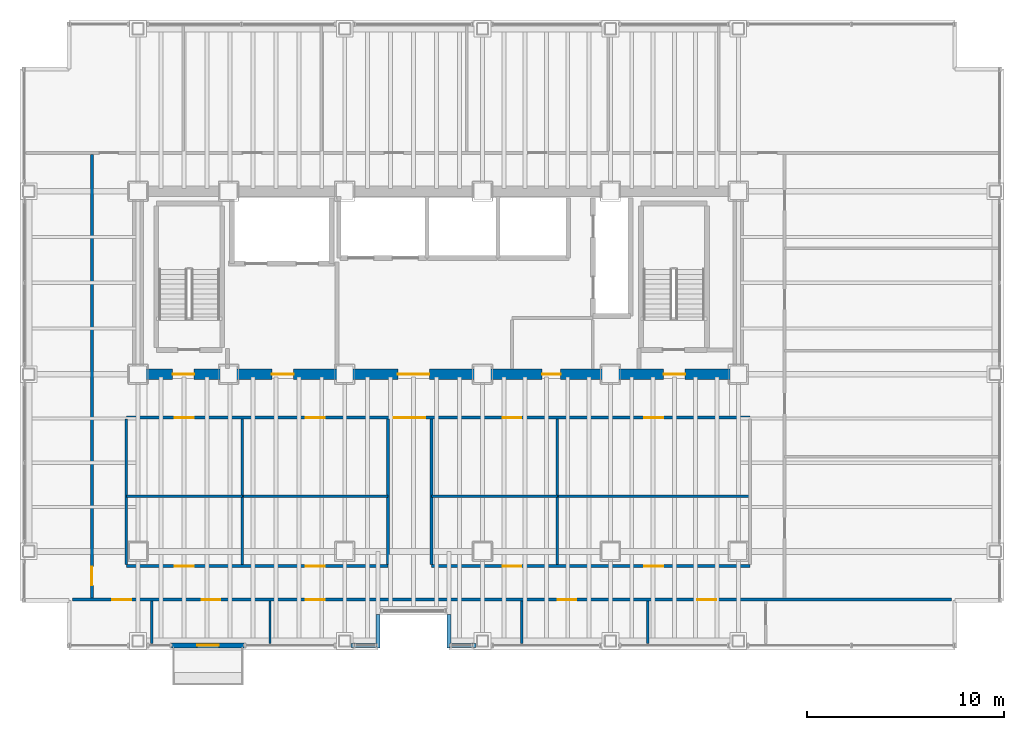
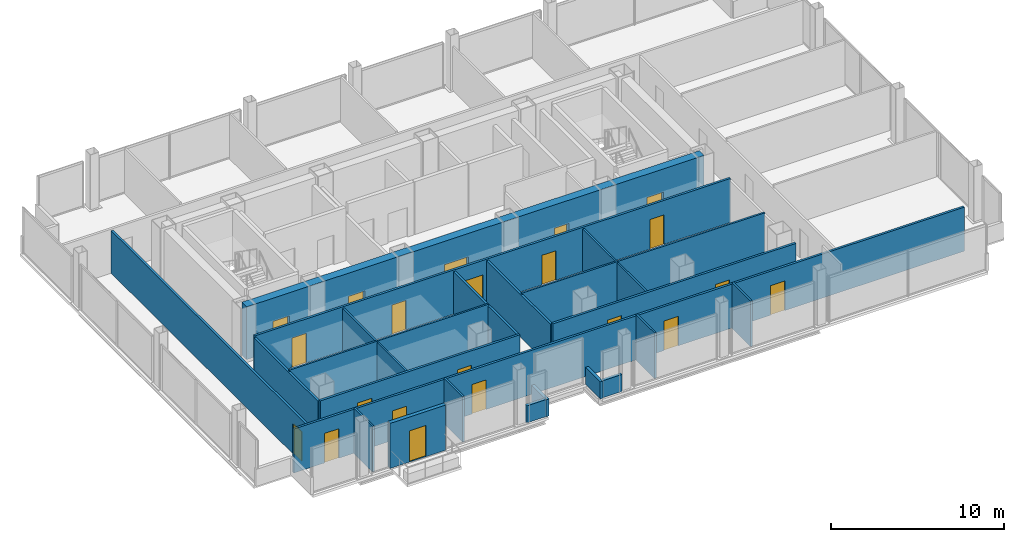
# One storey, part 17 of 20: 24 walls, 21 doors, 21 openings.
"""IFC4 building model written with IfcOpenShell, lengths in metres."""

from ifc_helpers import new_model, si_unit, direction, frame, frame_2d, origin, place, context, subcontext, project, spatial, rectangle, extrude, material, layer, layer_set, type_object, element, fill, save


model = new_model("IFC4")

# Units and contexts
model_context = context("Model", 3, precision=1e-05, world=origin(), true_north=direction((0.0, 1.0)))
body_context = subcontext(model_context, "Body", "Model", "MODEL_VIEW")
ifc_project = project(units=[si_unit("LENGTHUNIT", "METRE"), si_unit("AREAUNIT", "SQUARE_METRE"), si_unit("VOLUMEUNIT", "CUBIC_METRE"), si_unit("PLANEANGLEUNIT", "RADIAN"), si_unit("MASSUNIT", "GRAM", prefix="KILO")], contexts=[model_context])

# Site, building, storey
site_placement = place(None, origin())
site = spatial("IfcSite", under=ifc_project, at=site_placement, CompositionType="ELEMENT")
building_placement = place(site_placement, origin())
building = spatial("IfcBuilding", under=site, at=building_placement, Name="Noeulbin Bourse Tower", CompositionType="ELEMENT")
storey_placement = place(building_placement, frame((0.0, 0.0, 73.300048828125)))
storey = spatial("IfcBuildingStorey", under=building, at=storey_placement, Name="L18", CompositionType="ELEMENT", Elevation=73.300048828125)

# Wall, openings, doors
ifc_material_1 = material(Name="Concrete C60/75", Category="concrete")
ifc_layer_1 = layer(ifc_material_1, 0.550048828125)
ifc_layer_set_1 = layer_set([ifc_layer_1], Name="Concrete C60/75")
wall_type_1 = type_object("IfcWallType", Name="WAL-CORE-550", PredefinedType="SHEAR", material=ifc_layer_set_1)
wall_1_placement = place(storey_placement, frame((13.5, 29.0, 0.0), z_axis=(0.0, 0.0, 1.0), x_axis=(1.0, 0.0, 0.0)))
wall_1 = element("IfcWall", 1, at=wall_1_placement, inside=storey, type_object=wall_type_1, Name="Rear Core South Shear Wall L18", PredefinedType="SHEAR", context=body_context, shape_type="SweptSolid", body=[
    extrude(rectangle(XDim=30.5, YDim=0.550048828125, at=frame_2d((15.25, 0.0))), origin(), (0.0, 0.0, 1.0), 3.719970703125),
])
opening_1_placement = place(wall_1_placement, frame((1.75, 0.0, 0.0)))
opening_1 = element("IfcOpeningElement", 2, at=opening_1_placement, cuts=wall_1, Name="Opening FD-11", PredefinedType="OPENING", context=body_context, shape_type="SweptSolid", body=[
    extrude(rectangle(XDim=1.10009765625, YDim=2.080078125, at=frame_2d((0.550048828125, 1.0400390625))), frame((0.0, 0.284912109375, 0.0), z_axis=(0.0, -1.0, 0.0), x_axis=(1.0, 0.0, 0.0)), (0.0, 0.0, 1.0), 0.570068359375),
])
opening_2_placement = place(wall_1_placement, frame((26.699951171875, 0.0, 0.0)))
opening_2 = element("IfcOpeningElement", 3, at=opening_2_placement, cuts=wall_1, Name="Opening FD-11", PredefinedType="OPENING", context=body_context, shape_type="SweptSolid", body=[
    extrude(rectangle(XDim=1.10009765625, YDim=2.080078125, at=frame_2d((0.550048828125, 1.0400390625))), frame((0.0, 0.284912109375, 0.0), z_axis=(0.0, -1.0, 0.0), x_axis=(1.0, 0.0, 0.0)), (0.0, 0.0, 1.0), 0.570068359375),
])
opening_3_placement = place(wall_1_placement, frame((6.800048828125, 0.0, 0.0)))
opening_3 = element("IfcOpeningElement", 4, at=opening_3_placement, cuts=wall_1, Name="Opening FD-11", PredefinedType="OPENING", context=body_context, shape_type="SweptSolid", body=[
    extrude(rectangle(XDim=1.10009765625, YDim=2.080078125, at=frame_2d((0.550048828125, 1.0400390625))), frame((0.0, 0.284912109375, 0.0), z_axis=(0.0, -1.0, 0.0), x_axis=(1.0, 0.0, 0.0)), (0.0, 0.0, 1.0), 0.570068359375),
])
opening_4_placement = place(wall_1_placement, frame((13.199951171875, 0.0, 0.0)))
opening_4 = element("IfcOpeningElement", 5, at=opening_4_placement, cuts=wall_1, Name="Opening ID-16", PredefinedType="OPENING", context=body_context, shape_type="SweptSolid", body=[
    extrude(rectangle(XDim=1.60009765625, YDim=2.080078125, at=frame_2d((0.800048828125, 1.0400390625))), frame((0.0, 0.284912109375, 0.0), z_axis=(0.0, -1.0, 0.0), x_axis=(1.0, 0.0, 0.0)), (0.0, 0.0, 1.0), 0.570068359375),
])
opening_5_placement = place(wall_1_placement, frame((20.52490234375, 0.0, 0.0)))
opening_5 = element("IfcOpeningElement", 6, at=opening_5_placement, cuts=wall_1, Name="Opening ID-09", PredefinedType="OPENING", context=body_context, shape_type="SweptSolid", body=[
    extrude(rectangle(XDim=0.949951171875, YDim=2.080078125, at=frame_2d((0.47509765625, 1.0400390625))), frame((0.0, 0.284912109375, 0.0), z_axis=(0.0, -1.0, 0.0), x_axis=(1.0, 0.0, 0.0)), (0.0, 0.0, 1.0), 0.570068359375),
])
ifc_material_2 = material(Name="Acoustic Glazed Aluminium", Category="aluminium")
door_type_1 = type_object("IfcDoorType", Name="DR-DBL-1600", OperationType="DOUBLE_DOOR_SINGLE_SWING", PredefinedType="DOOR", material=ifc_material_2)
door_1_placement = place(opening_4_placement, origin())
door_1 = element("IfcDoor", 7, at=door_1_placement, inside=storey, type_object=door_type_1, Name="Passenger Lift Lobby Portal L18", OperationType="DOUBLE_DOOR_SINGLE_SWING", OverallHeight=2.080078125, OverallWidth=1.60009765625, PredefinedType="DOOR", context=body_context, shape_type="SweptSolid", body=[
    extrude(rectangle(XDim=1.60009765625, YDim=2.080078125, at=frame_2d((0.800048828125, 1.0400390625))), frame((0.0, 0.02490234375, 0.0), z_axis=(0.0, -1.0, 0.0), x_axis=(1.0, 0.0, 0.0)), (0.0, 0.0, 1.0), 0.050048828125),
])
fill(opening_4, door_1)
ifc_material_3 = material(Name="Fire-Rated Insulated Steel", Category="steel")
door_type_2 = type_object("IfcDoorType", Name="DR-FD60-1100", OperationType="SINGLE_SWING_LEFT", PredefinedType="DOOR", material=ifc_material_3)
door_2_placement = place(opening_1_placement, origin())
door_2 = element("IfcDoor", 8, at=door_2_placement, inside=storey, type_object=door_type_2, Name="West Stair Lobby Door L18", OperationType="SINGLE_SWING_RIGHT", OverallHeight=2.080078125, OverallWidth=1.10009765625, PredefinedType="DOOR", context=body_context, shape_type="SweptSolid", body=[
    extrude(rectangle(XDim=1.10009765625, YDim=2.080078125, at=frame_2d((0.550048828125, 1.0400390625))), frame((0.0, 0.02490234375, 0.0), z_axis=(0.0, -1.0, 0.0), x_axis=(1.0, 0.0, 0.0)), (0.0, 0.0, 1.0), 0.050048828125),
])
fill(opening_1, door_2)
door_3_placement = place(opening_2_placement, origin())
door_3 = element("IfcDoor", 9, at=door_3_placement, inside=storey, type_object=door_type_2, Name="East Stair Lobby Door L18", OperationType="SINGLE_SWING_LEFT", OverallHeight=2.080078125, OverallWidth=1.10009765625, PredefinedType="DOOR", context=body_context, shape_type="SweptSolid", body=[
    extrude(rectangle(XDim=1.10009765625, YDim=2.080078125, at=frame_2d((0.550048828125, 1.0400390625))), frame((0.0, 0.02490234375, 0.0), z_axis=(0.0, -1.0, 0.0), x_axis=(1.0, 0.0, 0.0)), (0.0, 0.0, 1.0), 0.050048828125),
])
fill(opening_2, door_3)
door_4_placement = place(opening_3_placement, origin())
door_4 = element("IfcDoor", 10, at=door_4_placement, inside=storey, type_object=door_type_2, Name="Firefighting Lobby Door L18", OperationType="SINGLE_SWING_RIGHT", OverallHeight=2.080078125, OverallWidth=1.10009765625, PredefinedType="DOOR", context=body_context, shape_type="SweptSolid", body=[
    extrude(rectangle(XDim=1.10009765625, YDim=2.080078125, at=frame_2d((0.550048828125, 1.0400390625))), frame((0.0, 0.02490234375, 0.0), z_axis=(0.0, -1.0, 0.0), x_axis=(1.0, 0.0, 0.0)), (0.0, 0.0, 1.0), 0.050048828125),
])
fill(opening_3, door_4)
ifc_material_4 = material(Name="Acoustic Solid-Core Timber", Category="wood")
door_type_3 = type_object("IfcDoorType", Name="DR-SINGLE-950", OperationType="SINGLE_SWING_LEFT", PredefinedType="DOOR", material=ifc_material_4)
door_5_placement = place(opening_5_placement, origin())
door_5 = element("IfcDoor", 11, at=door_5_placement, inside=storey, type_object=door_type_3, Name="Interior Door L18-05", OperationType="SINGLE_SWING_RIGHT", OverallHeight=2.080078125, OverallWidth=0.949951171875, PredefinedType="DOOR", context=body_context, shape_type="SweptSolid", body=[
    extrude(rectangle(XDim=0.949951171875, YDim=2.080078125, at=frame_2d((0.47509765625, 1.0400390625))), frame((0.0, 0.02490234375, 0.0), z_axis=(0.0, -1.0, 0.0), x_axis=(1.0, 0.0, 0.0)), (0.0, 0.0, 1.0), 0.050048828125),
])
fill(opening_5, door_5)

# Wall, opening, door
ifc_material_5 = material(Name="Precast Concrete C40/50", Category="concrete")
ifc_layer_2 = layer(ifc_material_5, 0.25)
ifc_layer_set_2 = layer_set([ifc_layer_2], Name="Precast Concrete C40/50")
wall_type_2 = type_object("IfcWallType", Name="WAL-EXT-250", PredefinedType="STANDARD", material=ifc_layer_set_2)
wall_2_placement = place(storey_placement, frame((15.199951171875, 15.219970703125, 0.0), z_axis=(0.0, 0.0, 1.0), x_axis=(1.0, 0.0, 0.0)))
wall_2 = element("IfcWall", 12, at=wall_2_placement, inside=storey, type_object=wall_type_2, Name="Balcony Threshold Wall L18", PredefinedType="STANDARD", context=body_context, shape_type="SweptSolid", body=[
    extrude(rectangle(XDim=3.699951171875, YDim=0.25, at=frame_2d((1.85009765625, 0.0))), origin(), (0.0, 0.0, 1.0), 3.179931640625),
])
opening_6_placement = place(wall_2_placement, frame((1.300048828125, 0.0, 0.0)))
opening_6 = element("IfcOpeningElement", 13, at=opening_6_placement, cuts=wall_2, Name="Opening BD-11", PredefinedType="OPENING", context=body_context, shape_type="SweptSolid", body=[
    extrude(rectangle(XDim=1.10009765625, YDim=2.199951171875, at=frame_2d((0.550048828125, 1.10009765625))), frame((0.0, 0.135009765625, 0.0), z_axis=(0.0, -1.0, 0.0), x_axis=(1.0, 0.0, 0.0)), (0.0, 0.0, 1.0), 0.27001953125),
])
ifc_material_6 = material(Name="Thermally Broken Aluminium Framed Glass", Category="aluminium")
door_type_4 = type_object("IfcDoorType", Name="DR-BAL-1100", OperationType="SINGLE_SWING_LEFT", PredefinedType="DOOR", material=ifc_material_6)
door_6_placement = place(opening_6_placement, origin())
door_6 = element("IfcDoor", 14, at=door_6_placement, inside=storey, type_object=door_type_4, Name="Tree-Balcony Access Door BD-L18", OperationType="SINGLE_SWING_RIGHT", OverallHeight=2.199951171875, OverallWidth=1.10009765625, PredefinedType="DOOR", context=body_context, shape_type="SweptSolid", body=[
    extrude(rectangle(XDim=1.10009765625, YDim=2.199951171875, at=frame_2d((0.550048828125, 1.10009765625))), frame((0.0, 0.02490234375, 0.0), z_axis=(0.0, -1.0, 0.0), x_axis=(1.0, 0.0, 0.0)), (0.0, 0.0, 1.0), 0.050048828125),
])
fill(opening_6, door_6)

# Walls
ifc_material_7 = material(Name="Concrete C40/50", Category="concrete")
ifc_layer_3 = layer(ifc_material_7, 0.199951171875)
ifc_layer_set_3 = layer_set([ifc_layer_3], Name="Concrete C40/50")
wall_type_3 = type_object("IfcWallType", Name="WAL-PAR-200", PredefinedType="PARAPET", material=ifc_layer_set_3)
for number, where, z_axis, x_axis, name in (
    (15, (24.320068359375, 15.219970703125, 0.0), (0.0, 0.0, 1.0), (1.0, 0.0, 0.0), "Perimeter Pier Spandrel Parapet L18-S1"),
    (16, (29.35009765625, 15.219970703125, 0.0), (0.0, 0.0, 1.0), (1.0, 0.0, 0.0), "Perimeter Pier Spandrel Parapet L18-S2"),
):
    element("IfcWall", number, at=place(storey_placement, frame(where, z_axis=z_axis, x_axis=x_axis)), inside=storey, type_object=wall_type_3, Name=name, PredefinedType="PARAPET", context=body_context, shape_type="SweptSolid", body=[
        extrude(rectangle(XDim=1.329833984375, YDim=0.199951171875, at=frame_2d((0.6650390625, 0.0))), origin(), (0.0, 0.0, 1.0), 1.199951171875),
    ])
for number, where, z_axis, x_axis, name in (
    (17, (25.699951171875, 15.10009765625, 0.0), (0.0, 0.0, 1.0), (0.0, 1.0, 0.0), "Sky-Garden Recess Parapet L18-W"),
    (18, (29.300048828125, 16.800048828125, 0.0), (0.0, 0.0, 1.0), (0.0, -1.0, 0.0), "Sky-Garden Recess Parapet L18-E"),
):
    element("IfcWall", number, at=place(storey_placement, frame(where, z_axis=z_axis, x_axis=x_axis)), inside=storey, type_object=wall_type_3, Name=name, PredefinedType="PARAPET", context=body_context, shape_type="SweptSolid", body=[
        extrude(rectangle(XDim=1.699951171875, YDim=0.199951171875, at=frame_2d((0.85009765625, 0.0))), origin(), (0.0, 0.0, 1.0), 1.199951171875),
    ])
ifc_material_8 = material(Name="Steel Stud Gypsum Partition", Category="steel")
ifc_layer_4 = layer(ifc_material_8, 0.1201171875)
ifc_layer_set_4 = layer_set([ifc_layer_4], Name="Steel Stud Gypsum Partition")
wall_type_4 = type_object("IfcWallType", Name="WAL-PRT-120", PredefinedType="PARTITIONING", material=ifc_layer_set_4)
wall_3_placement = place(storey_placement, frame((12.89990234375, 22.800048828125, 0.0), z_axis=(0.0, 0.0, 1.0), x_axis=(1.0, 0.0, 0.0)))
element("IfcWall", 19, at=wall_3_placement, inside=storey, type_object=wall_type_4, Name="Interior Partition Wall L18-07", PredefinedType="PARTITIONING", context=body_context, shape_type="SweptSolid", body=[
    extrude(rectangle(XDim=5.900146484375, YDim=0.1201171875, at=frame_2d((2.9501953125, 0.0))), origin(), (0.0, 0.0, 1.0), 3.099853515625),
])
wall_4_placement = place(storey_placement, frame((18.800048828125, 22.800048828125, 0.0), z_axis=(0.0, 0.0, 1.0), x_axis=(1.0, 0.0, 0.0)))
element("IfcWall", 20, at=wall_4_placement, inside=storey, type_object=wall_type_4, Name="Interior Partition Wall L18-08", PredefinedType="PARTITIONING", context=body_context, shape_type="SweptSolid", body=[
    extrude(rectangle(XDim=7.39990234375, YDim=0.1201171875, at=frame_2d((3.699951171875, 0.0))), origin(), (0.0, 0.0, 1.0), 3.099853515625),
])
wall_5_placement = place(storey_placement, frame((28.39990234375, 22.800048828125, 0.0), z_axis=(0.0, 0.0, 1.0), x_axis=(1.0, 0.0, 0.0)))
element("IfcWall", 21, at=wall_5_placement, inside=storey, type_object=wall_type_4, Name="Interior Partition Wall L18-09", PredefinedType="PARTITIONING", context=body_context, shape_type="SweptSolid", body=[
    extrude(rectangle(XDim=6.400146484375, YDim=0.1201171875, at=frame_2d((3.2001953125, 0.0))), origin(), (0.0, 0.0, 1.0), 3.099853515625),
])
wall_6_placement = place(storey_placement, frame((34.800048828125, 22.800048828125, 0.0), z_axis=(0.0, 0.0, 1.0), x_axis=(1.0, 0.0, 0.0)))
element("IfcWall", 22, at=wall_6_placement, inside=storey, type_object=wall_type_4, Name="Interior Partition Wall L18-10", PredefinedType="PARTITIONING", context=body_context, shape_type="SweptSolid", body=[
    extrude(rectangle(XDim=9.800048828125, YDim=0.1201171875, at=frame_2d((4.89990234375, 0.0))), origin(), (0.0, 0.0, 1.0), 3.099853515625),
])
for number, where, z_axis, x_axis, name in (
    (23, (14.199951171875, 15.31005859375, 0.0), (0.0, 0.0, 1.0), (0.0, 1.0, 0.0), "Interior Partition Wall L18-26"),
    (24, (20.199951171875, 15.31005859375, 0.0), (0.0, 0.0, 1.0), (0.0, 1.0, 0.0), "Interior Partition Wall L18-27"),
    (25, (33.0, 15.31005859375, 0.0), (0.0, 0.0, 1.0), (0.0, 1.0, 0.0), "Interior Partition Wall L18-28"),
    (26, (39.39990234375, 15.31005859375, 0.0), (0.0, 0.0, 1.0), (0.0, 1.0, 0.0), "Interior Partition Wall L18-29"),
):
    element("IfcWall", number, at=place(storey_placement, frame(where, z_axis=z_axis, x_axis=x_axis)), inside=storey, type_object=wall_type_4, Name=name, PredefinedType="PARTITIONING", context=body_context, shape_type="SweptSolid", body=[
        extrude(rectangle(XDim=2.155029296875, YDim=0.1201171875, at=frame_2d((1.07763671875, 0.0))), origin(), (0.0, 0.0, 1.0), 3.2119140625),
    ])
for number, where, z_axis, x_axis, name in (
    (27, (18.800048828125, 19.3349609375, 0.0), (0.0, 0.0, 1.0), (0.0, 1.0, 0.0), "Interior Partition Wall L18-31"),
    (28, (34.800048828125, 19.3349609375, 0.0), (0.0, 0.0, 1.0), (0.0, 1.0, 0.0), "Interior Partition Wall L18-32"),
):
    element("IfcWall", number, at=place(storey_placement, frame(where, z_axis=z_axis, x_axis=x_axis)), inside=storey, type_object=wall_type_4, Name=name, PredefinedType="PARTITIONING", context=body_context, shape_type="SweptSolid", body=[
        extrude(rectangle(XDim=7.380126953125, YDim=0.1201171875, at=frame_2d((3.68994140625, 0.0))), origin(), (0.0, 0.0, 1.0), 3.0),
    ])

# Wall, openings, doors
ifc_material_9 = material(Name="Steel Stud Acoustic Gypsum Board", Category="steel")
ifc_layer_5 = layer(ifc_material_9, 0.14990234375)
ifc_layer_set_5 = layer_set([ifc_layer_5], Name="Steel Stud Acoustic Gypsum Board")
wall_type_5 = type_object("IfcWallType", Name="WAL-PRT-150", PredefinedType="PARTITIONING", material=ifc_layer_set_5)
wall_7_placement = place(storey_placement, frame((12.89990234375, 26.800048828125, 0.0), z_axis=(0.0, 0.0, 1.0), x_axis=(1.0, 0.0, 0.0)))
wall_7 = element("IfcWall", 29, at=wall_7_placement, inside=storey, type_object=wall_type_5, Name="Interior Partition Wall L18-03", PredefinedType="PARTITIONING", context=body_context, shape_type="SweptSolid", body=[
    extrude(rectangle(XDim=31.7001953125, YDim=0.14990234375, at=frame_2d((15.85009765625, 0.0))), origin(), (0.0, 0.0, 1.0), 3.099853515625),
])
opening_7_placement = place(wall_7_placement, frame((13.60009765625, 0.0, 0.0)))
opening_7 = element("IfcOpeningElement", 30, at=opening_7_placement, cuts=wall_7, Name="Opening ID-16", PredefinedType="OPENING", context=body_context, shape_type="SweptSolid", body=[
    extrude(rectangle(XDim=1.60009765625, YDim=2.080078125, at=frame_2d((0.800048828125, 1.0400390625))), frame((0.0, 0.0849609375, 0.0), z_axis=(0.0, -1.0, 0.0), x_axis=(1.0, 0.0, 0.0)), (0.0, 0.0, 1.0), 0.169921875),
])
opening_8_placement = place(wall_7_placement, frame((2.47509765625, 0.0, 0.0)))
opening_8 = element("IfcOpeningElement", 31, at=opening_8_placement, cuts=wall_7, Name="Opening ID-09", PredefinedType="OPENING", context=body_context, shape_type="SweptSolid", body=[
    extrude(rectangle(XDim=0.949951171875, YDim=2.080078125, at=frame_2d((0.47509765625, 1.0400390625))), frame((0.0, 0.0849609375, 0.0), z_axis=(0.0, -1.0, 0.0), x_axis=(1.0, 0.0, 0.0)), (0.0, 0.0, 1.0), 0.169921875),
])
opening_9_placement = place(wall_7_placement, frame((9.125, 0.0, 0.0)))
opening_9 = element("IfcOpeningElement", 32, at=opening_9_placement, cuts=wall_7, Name="Opening ID-09", PredefinedType="OPENING", context=body_context, shape_type="SweptSolid", body=[
    extrude(rectangle(XDim=0.949951171875, YDim=2.080078125, at=frame_2d((0.47509765625, 1.0400390625))), frame((0.0, 0.0849609375, 0.0), z_axis=(0.0, -1.0, 0.0), x_axis=(1.0, 0.0, 0.0)), (0.0, 0.0, 1.0), 0.169921875),
])
opening_10_placement = place(wall_7_placement, frame((19.125, 0.0, 0.0)))
opening_10 = element("IfcOpeningElement", 33, at=opening_10_placement, cuts=wall_7, Name="Opening ID-09", PredefinedType="OPENING", context=body_context, shape_type="SweptSolid", body=[
    extrude(rectangle(XDim=0.949951171875, YDim=2.080078125, at=frame_2d((0.47509765625, 1.0400390625))), frame((0.0, 0.0849609375, 0.0), z_axis=(0.0, -1.0, 0.0), x_axis=(1.0, 0.0, 0.0)), (0.0, 0.0, 1.0), 0.169921875),
])
opening_11_placement = place(wall_7_placement, frame((26.324951171875, 0.0, 0.0)))
opening_11 = element("IfcOpeningElement", 34, at=opening_11_placement, cuts=wall_7, Name="Opening ID-09", PredefinedType="OPENING", context=body_context, shape_type="SweptSolid", body=[
    extrude(rectangle(XDim=0.949951171875, YDim=2.080078125, at=frame_2d((0.47509765625, 1.0400390625))), frame((0.0, 0.0849609375, 0.0), z_axis=(0.0, -1.0, 0.0), x_axis=(1.0, 0.0, 0.0)), (0.0, 0.0, 1.0), 0.169921875),
])
door_7_placement = place(opening_7_placement, origin())
door_7 = element("IfcDoor", 35, at=door_7_placement, inside=storey, type_object=door_type_1, Name="Interior Door L18-06", OperationType="DOUBLE_DOOR_SINGLE_SWING", OverallHeight=2.080078125, OverallWidth=1.60009765625, PredefinedType="DOOR", context=body_context, shape_type="SweptSolid", body=[
    extrude(rectangle(XDim=1.60009765625, YDim=2.080078125, at=frame_2d((0.800048828125, 1.0400390625))), frame((0.0, 0.02490234375, 0.0), z_axis=(0.0, -1.0, 0.0), x_axis=(1.0, 0.0, 0.0)), (0.0, 0.0, 1.0), 0.050048828125),
])
fill(opening_7, door_7)
door_8_placement = place(opening_8_placement, origin())
door_8 = element("IfcDoor", 36, at=door_8_placement, inside=storey, type_object=door_type_3, Name="Interior Door L18-13", OperationType="SINGLE_SWING_RIGHT", OverallHeight=2.080078125, OverallWidth=0.949951171875, PredefinedType="DOOR", context=body_context, shape_type="SweptSolid", body=[
    extrude(rectangle(XDim=0.949951171875, YDim=2.080078125, at=frame_2d((0.47509765625, 1.0400390625))), frame((0.0, 0.02490234375, 0.0), z_axis=(0.0, -1.0, 0.0), x_axis=(1.0, 0.0, 0.0)), (0.0, 0.0, 1.0), 0.050048828125),
])
fill(opening_8, door_8)
door_9_placement = place(opening_9_placement, origin())
door_9 = element("IfcDoor", 37, at=door_9_placement, inside=storey, type_object=door_type_3, Name="Interior Door L18-15", OperationType="SINGLE_SWING_RIGHT", OverallHeight=2.080078125, OverallWidth=0.949951171875, PredefinedType="DOOR", context=body_context, shape_type="SweptSolid", body=[
    extrude(rectangle(XDim=0.949951171875, YDim=2.080078125, at=frame_2d((0.47509765625, 1.0400390625))), frame((0.0, 0.02490234375, 0.0), z_axis=(0.0, -1.0, 0.0), x_axis=(1.0, 0.0, 0.0)), (0.0, 0.0, 1.0), 0.050048828125),
])
fill(opening_9, door_9)
door_10_placement = place(opening_10_placement, origin())
door_10 = element("IfcDoor", 38, at=door_10_placement, inside=storey, type_object=door_type_3, Name="Interior Door L18-17", OperationType="SINGLE_SWING_RIGHT", OverallHeight=2.080078125, OverallWidth=0.949951171875, PredefinedType="DOOR", context=body_context, shape_type="SweptSolid", body=[
    extrude(rectangle(XDim=0.949951171875, YDim=2.080078125, at=frame_2d((0.47509765625, 1.0400390625))), frame((0.0, 0.02490234375, 0.0), z_axis=(0.0, -1.0, 0.0), x_axis=(1.0, 0.0, 0.0)), (0.0, 0.0, 1.0), 0.050048828125),
])
fill(opening_10, door_10)
door_11_placement = place(opening_11_placement, origin())
door_11 = element("IfcDoor", 39, at=door_11_placement, inside=storey, type_object=door_type_3, Name="Interior Door L18-19", OperationType="SINGLE_SWING_RIGHT", OverallHeight=2.080078125, OverallWidth=0.949951171875, PredefinedType="DOOR", context=body_context, shape_type="SweptSolid", body=[
    extrude(rectangle(XDim=0.949951171875, YDim=2.080078125, at=frame_2d((0.47509765625, 1.0400390625))), frame((0.0, 0.02490234375, 0.0), z_axis=(0.0, -1.0, 0.0), x_axis=(1.0, 0.0, 0.0)), (0.0, 0.0, 1.0), 0.050048828125),
])
fill(opening_11, door_11)

wall_8_placement = place(storey_placement, frame((10.159912109375, 17.550048828125, 0.0), z_axis=(0.0, 0.0, 1.0), x_axis=(1.0, 0.0, 0.0)))
wall_8 = element("IfcWall", 40, at=wall_8_placement, inside=storey, type_object=wall_type_5, Name="Interior Partition Wall L18-04", PredefinedType="PARTITIONING", context=body_context, shape_type="SweptSolid", body=[
    extrude(rectangle(XDim=44.68017578125, YDim=0.14990234375, at=frame_2d((22.340087890625, 0.0))), origin(), (0.0, 0.0, 1.0), 3.099853515625),
])
opening_12_placement = place(wall_8_placement, frame((2.0400390625, 0.0, 0.0)))
opening_12 = element("IfcOpeningElement", 41, at=opening_12_placement, cuts=wall_8, Name="Opening ID-09", PredefinedType="OPENING", context=body_context, shape_type="SweptSolid", body=[
    extrude(rectangle(XDim=0.949951171875, YDim=2.080078125, at=frame_2d((0.47509765625, 1.0400390625))), frame((0.0, 0.0849609375, 0.0), z_axis=(0.0, -1.0, 0.0), x_axis=(1.0, 0.0, 0.0)), (0.0, 0.0, 1.0), 0.169921875),
])
opening_13_placement = place(wall_8_placement, frame((6.56494140625, 0.0, 0.0)))
opening_13 = element("IfcOpeningElement", 42, at=opening_13_placement, cuts=wall_8, Name="Opening ID-09", PredefinedType="OPENING", context=body_context, shape_type="SweptSolid", body=[
    extrude(rectangle(XDim=0.949951171875, YDim=2.080078125, at=frame_2d((0.47509765625, 1.0400390625))), frame((0.0, 0.0849609375, 0.0), z_axis=(0.0, -1.0, 0.0), x_axis=(1.0, 0.0, 0.0)), (0.0, 0.0, 1.0), 0.169921875),
])
opening_14_placement = place(wall_8_placement, frame((11.864990234375, 0.0, 0.0)))
opening_14 = element("IfcOpeningElement", 43, at=opening_14_placement, cuts=wall_8, Name="Opening ID-09", PredefinedType="OPENING", context=body_context, shape_type="SweptSolid", body=[
    extrude(rectangle(XDim=0.949951171875, YDim=2.080078125, at=frame_2d((0.47509765625, 1.0400390625))), frame((0.0, 0.0849609375, 0.0), z_axis=(0.0, -1.0, 0.0), x_axis=(1.0, 0.0, 0.0)), (0.0, 0.0, 1.0), 0.169921875),
])
opening_15_placement = place(wall_8_placement, frame((24.6650390625, 0.0, 0.0)))
opening_15 = element("IfcOpeningElement", 44, at=opening_15_placement, cuts=wall_8, Name="Opening ID-09", PredefinedType="OPENING", context=body_context, shape_type="SweptSolid", body=[
    extrude(rectangle(XDim=0.949951171875, YDim=2.080078125, at=frame_2d((0.47509765625, 1.0400390625))), frame((0.0, 0.0849609375, 0.0), z_axis=(0.0, -1.0, 0.0), x_axis=(1.0, 0.0, 0.0)), (0.0, 0.0, 1.0), 0.169921875),
])
opening_16_placement = place(wall_8_placement, frame((31.764892578125, 0.0, 0.0)))
opening_16 = element("IfcOpeningElement", 45, at=opening_16_placement, cuts=wall_8, Name="Opening ID-09", PredefinedType="OPENING", context=body_context, shape_type="SweptSolid", body=[
    extrude(rectangle(XDim=0.949951171875, YDim=2.080078125, at=frame_2d((0.47509765625, 1.0400390625))), frame((0.0, 0.0849609375, 0.0), z_axis=(0.0, -1.0, 0.0), x_axis=(1.0, 0.0, 0.0)), (0.0, 0.0, 1.0), 0.169921875),
])
door_12_placement = place(opening_12_placement, origin())
door_12 = element("IfcDoor", 46, at=door_12_placement, inside=storey, type_object=door_type_3, Name="Interior Door L18-07", OperationType="SINGLE_SWING_RIGHT", OverallHeight=2.080078125, OverallWidth=0.949951171875, PredefinedType="DOOR", context=body_context, shape_type="SweptSolid", body=[
    extrude(rectangle(XDim=0.949951171875, YDim=2.080078125, at=frame_2d((0.47509765625, 1.0400390625))), frame((0.0, 0.02490234375, 0.0), z_axis=(0.0, -1.0, 0.0), x_axis=(1.0, 0.0, 0.0)), (0.0, 0.0, 1.0), 0.050048828125),
])
fill(opening_12, door_12)
door_13_placement = place(opening_13_placement, origin())
door_13 = element("IfcDoor", 47, at=door_13_placement, inside=storey, type_object=door_type_3, Name="Interior Door L18-08", OperationType="SINGLE_SWING_LEFT", OverallHeight=2.080078125, OverallWidth=0.949951171875, PredefinedType="DOOR", context=body_context, shape_type="SweptSolid", body=[
    extrude(rectangle(XDim=0.949951171875, YDim=2.080078125, at=frame_2d((0.47509765625, 1.0400390625))), frame((0.0, 0.02490234375, 0.0), z_axis=(0.0, -1.0, 0.0), x_axis=(1.0, 0.0, 0.0)), (0.0, 0.0, 1.0), 0.050048828125),
])
fill(opening_13, door_13)
door_14_placement = place(opening_14_placement, origin())
door_14 = element("IfcDoor", 48, at=door_14_placement, inside=storey, type_object=door_type_3, Name="Interior Door L18-09", OperationType="SINGLE_SWING_RIGHT", OverallHeight=2.080078125, OverallWidth=0.949951171875, PredefinedType="DOOR", context=body_context, shape_type="SweptSolid", body=[
    extrude(rectangle(XDim=0.949951171875, YDim=2.080078125, at=frame_2d((0.47509765625, 1.0400390625))), frame((0.0, 0.02490234375, 0.0), z_axis=(0.0, -1.0, 0.0), x_axis=(1.0, 0.0, 0.0)), (0.0, 0.0, 1.0), 0.050048828125),
])
fill(opening_14, door_14)
door_15_placement = place(opening_15_placement, origin())
door_15 = element("IfcDoor", 49, at=door_15_placement, inside=storey, type_object=door_type_3, Name="Interior Door L18-10", OperationType="SINGLE_SWING_LEFT", OverallHeight=2.080078125, OverallWidth=0.949951171875, PredefinedType="DOOR", context=body_context, shape_type="SweptSolid", body=[
    extrude(rectangle(XDim=0.949951171875, YDim=2.080078125, at=frame_2d((0.47509765625, 1.0400390625))), frame((0.0, 0.02490234375, 0.0), z_axis=(0.0, -1.0, 0.0), x_axis=(1.0, 0.0, 0.0)), (0.0, 0.0, 1.0), 0.050048828125),
])
fill(opening_15, door_15)
door_16_placement = place(opening_16_placement, origin())
door_16 = element("IfcDoor", 50, at=door_16_placement, inside=storey, type_object=door_type_3, Name="Interior Door L18-11", OperationType="SINGLE_SWING_RIGHT", OverallHeight=2.080078125, OverallWidth=0.949951171875, PredefinedType="DOOR", context=body_context, shape_type="SweptSolid", body=[
    extrude(rectangle(XDim=0.949951171875, YDim=2.080078125, at=frame_2d((0.47509765625, 1.0400390625))), frame((0.0, 0.02490234375, 0.0), z_axis=(0.0, -1.0, 0.0), x_axis=(1.0, 0.0, 0.0)), (0.0, 0.0, 1.0), 0.050048828125),
])
fill(opening_16, door_16)

wall_9_placement = place(storey_placement, frame((12.89990234375, 19.25, 0.0), z_axis=(0.0, 0.0, 1.0), x_axis=(1.0, 0.0, 0.0)))
wall_9 = element("IfcWall", 51, at=wall_9_placement, inside=storey, type_object=wall_type_5, Name="Interior Partition Wall L18-05", PredefinedType="PARTITIONING", context=body_context, shape_type="SweptSolid", body=[
    extrude(rectangle(XDim=13.300048828125, YDim=0.14990234375, at=frame_2d((6.64990234375, 0.0))), origin(), (0.0, 0.0, 1.0), 3.099853515625),
])
opening_17_placement = place(wall_9_placement, frame((2.47509765625, 0.0, 0.0)))
opening_17 = element("IfcOpeningElement", 52, at=opening_17_placement, cuts=wall_9, Name="Opening ID-09", PredefinedType="OPENING", context=body_context, shape_type="SweptSolid", body=[
    extrude(rectangle(XDim=0.949951171875, YDim=2.080078125, at=frame_2d((0.47509765625, 1.0400390625))), frame((0.0, 0.0849609375, 0.0), z_axis=(0.0, -1.0, 0.0), x_axis=(1.0, 0.0, 0.0)), (0.0, 0.0, 1.0), 0.169921875),
])
opening_18_placement = place(wall_9_placement, frame((9.125, 0.0, 0.0)))
opening_18 = element("IfcOpeningElement", 53, at=opening_18_placement, cuts=wall_9, Name="Opening ID-09", PredefinedType="OPENING", context=body_context, shape_type="SweptSolid", body=[
    extrude(rectangle(XDim=0.949951171875, YDim=2.080078125, at=frame_2d((0.47509765625, 1.0400390625))), frame((0.0, 0.0849609375, 0.0), z_axis=(0.0, -1.0, 0.0), x_axis=(1.0, 0.0, 0.0)), (0.0, 0.0, 1.0), 0.169921875),
])
door_17_placement = place(opening_17_placement, origin())
door_17 = element("IfcDoor", 54, at=door_17_placement, inside=storey, type_object=door_type_3, Name="Interior Door L18-14", OperationType="SINGLE_SWING_LEFT", OverallHeight=2.080078125, OverallWidth=0.949951171875, PredefinedType="DOOR", context=body_context, shape_type="SweptSolid", body=[
    extrude(rectangle(XDim=0.949951171875, YDim=2.080078125, at=frame_2d((0.47509765625, 1.0400390625))), frame((0.0, 0.02490234375, 0.0), z_axis=(0.0, -1.0, 0.0), x_axis=(1.0, 0.0, 0.0)), (0.0, 0.0, 1.0), 0.050048828125),
])
fill(opening_17, door_17)
door_18_placement = place(opening_18_placement, origin())
door_18 = element("IfcDoor", 55, at=door_18_placement, inside=storey, type_object=door_type_3, Name="Interior Door L18-16", OperationType="SINGLE_SWING_LEFT", OverallHeight=2.080078125, OverallWidth=0.949951171875, PredefinedType="DOOR", context=body_context, shape_type="SweptSolid", body=[
    extrude(rectangle(XDim=0.949951171875, YDim=2.080078125, at=frame_2d((0.47509765625, 1.0400390625))), frame((0.0, 0.02490234375, 0.0), z_axis=(0.0, -1.0, 0.0), x_axis=(1.0, 0.0, 0.0)), (0.0, 0.0, 1.0), 0.050048828125),
])
fill(opening_18, door_18)

wall_10_placement = place(storey_placement, frame((28.39990234375, 19.25, 0.0), z_axis=(0.0, 0.0, 1.0), x_axis=(1.0, 0.0, 0.0)))
wall_10 = element("IfcWall", 56, at=wall_10_placement, inside=storey, type_object=wall_type_5, Name="Interior Partition Wall L18-06", PredefinedType="PARTITIONING", context=body_context, shape_type="SweptSolid", body=[
    extrude(rectangle(XDim=16.2001953125, YDim=0.14990234375, at=frame_2d((8.10009765625, 0.0))), origin(), (0.0, 0.0, 1.0), 3.099853515625),
])
opening_19_placement = place(wall_10_placement, frame((3.625, 0.0, 0.0)))
opening_19 = element("IfcOpeningElement", 57, at=opening_19_placement, cuts=wall_10, Name="Opening ID-09", PredefinedType="OPENING", context=body_context, shape_type="SweptSolid", body=[
    extrude(rectangle(XDim=0.949951171875, YDim=2.080078125, at=frame_2d((0.47509765625, 1.0400390625))), frame((0.0, 0.0849609375, 0.0), z_axis=(0.0, -1.0, 0.0), x_axis=(1.0, 0.0, 0.0)), (0.0, 0.0, 1.0), 0.169921875),
])
opening_20_placement = place(wall_10_placement, frame((10.824951171875, 0.0, 0.0)))
opening_20 = element("IfcOpeningElement", 58, at=opening_20_placement, cuts=wall_10, Name="Opening ID-09", PredefinedType="OPENING", context=body_context, shape_type="SweptSolid", body=[
    extrude(rectangle(XDim=0.949951171875, YDim=2.080078125, at=frame_2d((0.47509765625, 1.0400390625))), frame((0.0, 0.0849609375, 0.0), z_axis=(0.0, -1.0, 0.0), x_axis=(1.0, 0.0, 0.0)), (0.0, 0.0, 1.0), 0.169921875),
])
door_19_placement = place(opening_19_placement, origin())
door_19 = element("IfcDoor", 59, at=door_19_placement, inside=storey, type_object=door_type_3, Name="Interior Door L18-18", OperationType="SINGLE_SWING_LEFT", OverallHeight=2.080078125, OverallWidth=0.949951171875, PredefinedType="DOOR", context=body_context, shape_type="SweptSolid", body=[
    extrude(rectangle(XDim=0.949951171875, YDim=2.080078125, at=frame_2d((0.47509765625, 1.0400390625))), frame((0.0, 0.02490234375, 0.0), z_axis=(0.0, -1.0, 0.0), x_axis=(1.0, 0.0, 0.0)), (0.0, 0.0, 1.0), 0.050048828125),
])
fill(opening_19, door_19)
door_20_placement = place(opening_20_placement, origin())
door_20 = element("IfcDoor", 60, at=door_20_placement, inside=storey, type_object=door_type_3, Name="Interior Door L18-20", OperationType="SINGLE_SWING_LEFT", OverallHeight=2.080078125, OverallWidth=0.949951171875, PredefinedType="DOOR", context=body_context, shape_type="SweptSolid", body=[
    extrude(rectangle(XDim=0.949951171875, YDim=2.080078125, at=frame_2d((0.47509765625, 1.0400390625))), frame((0.0, 0.02490234375, 0.0), z_axis=(0.0, -1.0, 0.0), x_axis=(1.0, 0.0, 0.0)), (0.0, 0.0, 1.0), 0.050048828125),
])
fill(opening_20, door_20)

# Walls
for number, where, z_axis, x_axis, name in (
    (61, (26.199951171875, 19.3349609375, 0.0), (0.0, 0.0, 1.0), (0.0, 1.0, 0.0), "Interior Partition Wall L18-20"),
    (62, (28.39990234375, 19.3349609375, 0.0), (0.0, 0.0, 1.0), (0.0, 1.0, 0.0), "Interior Partition Wall L18-21"),
):
    element("IfcWall", number, at=place(storey_placement, frame(where, z_axis=z_axis, x_axis=x_axis)), inside=storey, type_object=wall_type_5, Name=name, PredefinedType="PARTITIONING", context=body_context, shape_type="SweptSolid", body=[
        extrude(rectangle(XDim=7.380126953125, YDim=0.14990234375, at=frame_2d((3.68994140625, 0.0))), origin(), (0.0, 0.0, 1.0), 3.0),
    ])

# Wall, opening, door
wall_11_placement = place(storey_placement, frame((11.14990234375, 17.635009765625, 0.0), z_axis=(0.0, 0.0, 1.0), x_axis=(0.0, 1.0, 0.0)))
wall_11 = element("IfcWall", 63, at=wall_11_placement, inside=storey, type_object=wall_type_5, Name="Interior Partition Wall L18-22", PredefinedType="PARTITIONING", context=body_context, shape_type="SweptSolid", body=[
    extrude(rectangle(XDim=22.530029296875, YDim=0.14990234375, at=frame_2d((11.26513671875, 0.0))), origin(), (0.0, 0.0, 1.0), 3.0),
])
opening_21_placement = place(wall_11_placement, frame((0.639892578125, 0.0, 0.0)))
opening_21 = element("IfcOpeningElement", 64, at=opening_21_placement, cuts=wall_11, Name="Opening ID-09", PredefinedType="OPENING", context=body_context, shape_type="SweptSolid", body=[
    extrude(rectangle(XDim=0.949951171875, YDim=2.080078125, at=frame_2d((0.47509765625, 1.0400390625))), frame((0.0, 0.0849609375, 0.0), z_axis=(0.0, -1.0, 0.0), x_axis=(1.0, 0.0, 0.0)), (0.0, 0.0, 1.0), 0.169921875),
])
door_21_placement = place(opening_21_placement, origin())
door_21 = element("IfcDoor", 65, at=door_21_placement, inside=storey, type_object=door_type_3, Name="Interior Door L18-21", OperationType="SINGLE_SWING_RIGHT", OverallHeight=2.080078125, OverallWidth=0.949951171875, PredefinedType="DOOR", context=body_context, shape_type="SweptSolid", body=[
    extrude(rectangle(XDim=0.949951171875, YDim=2.080078125, at=frame_2d((0.47509765625, 1.0400390625))), frame((0.0, 0.02490234375, 0.0), z_axis=(0.0, -1.0, 0.0), x_axis=(1.0, 0.0, 0.0)), (0.0, 0.0, 1.0), 0.050048828125),
])
fill(opening_21, door_21)

# Wall
wall_12_placement = place(storey_placement, frame((12.89990234375, 19.3349609375, 0.0), z_axis=(0.0, 0.0, 1.0), x_axis=(0.0, 1.0, 0.0)))
element("IfcWall", 66, at=wall_12_placement, inside=storey, type_object=wall_type_5, Name="Interior Partition Wall L18-23", PredefinedType="PARTITIONING", context=body_context, shape_type="SweptSolid", body=[
    extrude(rectangle(XDim=7.380126953125, YDim=0.14990234375, at=frame_2d((3.68994140625, 0.0))), origin(), (0.0, 0.0, 1.0), 3.0),
])

save(model, "model.ifc")
